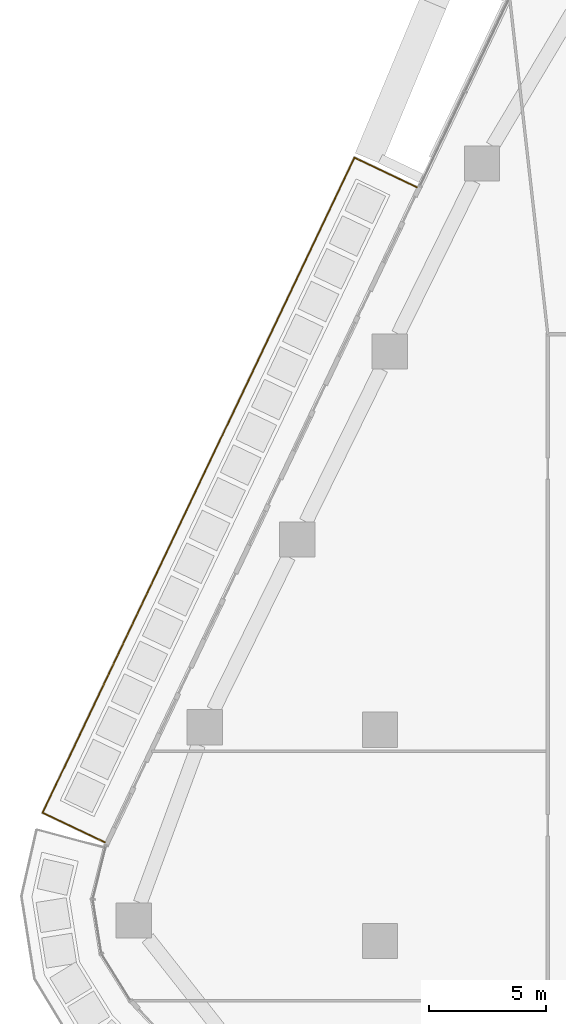
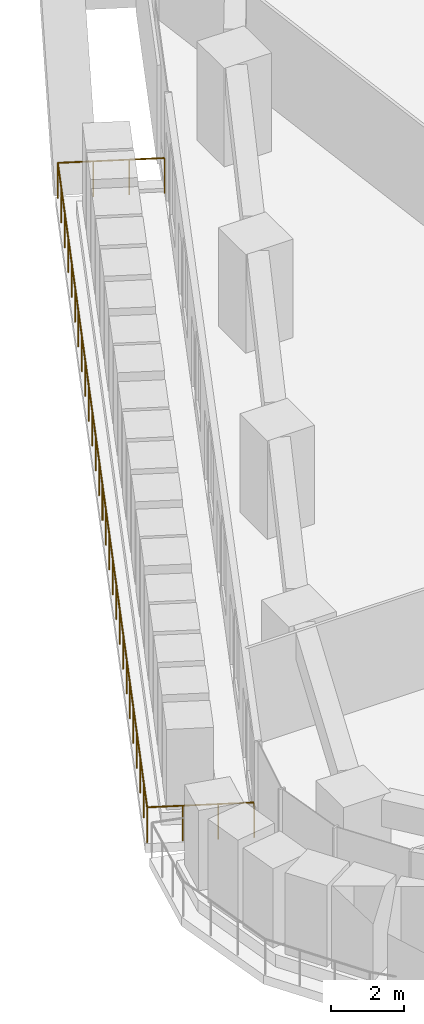
# One storey, part 22 of 24: 1 railing.
"""IFC4 building model written with IfcOpenShell, lengths in metres."""

from ifc_helpers import new_model, si_unit, direction, frame, origin, origin_2d, place, context, subcontext, project, spatial, circle, extrude, material, type_object, element, save


model = new_model("IFC4")

# Units and contexts
model_context = context("Model", 3, precision=1e-05, world=origin(), true_north=direction((0.0, 1.0)))
body_context = subcontext(model_context, "Body", "Model", "MODEL_VIEW")
ifc_project = project(units=[si_unit("LENGTHUNIT", "METRE"), si_unit("AREAUNIT", "SQUARE_METRE"), si_unit("VOLUMEUNIT", "CUBIC_METRE"), si_unit("PLANEANGLEUNIT", "RADIAN"), si_unit("MASSUNIT", "GRAM", prefix="KILO")], contexts=[model_context])

# Site, building, storey
site_placement = place(None, origin())
site = spatial("IfcSite", under=ifc_project, at=site_placement, CompositionType="ELEMENT")
building_placement = place(site_placement, origin())
building = spatial("IfcBuilding", under=site, at=building_placement, Name="Dongbaek Canopy Tower", CompositionType="ELEMENT")
storey_placement = place(building_placement, frame((0.0, 0.0, 51.39990234375)))
storey = spatial("IfcBuildingStorey", under=building, at=storey_placement, Name="L08", CompositionType="ELEMENT", Elevation=51.39990234375)

# Railing
ifc_material = material(Name="Stainless steel", Category="steel")
railing_type = type_object("IfcRailingType", Name="Balcony balustrade 1200", PredefinedType="BALUSTRADE", material=ifc_material)
railing_placement = place(storey_placement, frame((-25.43212890625, 23.11181640625, 0.0)))
element("IfcRailing", 1, at=railing_placement, inside=storey, type_object=railing_type, Name="Balcony guard L08 2", PredefinedType="BALUSTRADE", context=body_context, shape_type="SweptSolid", body=[
    extrude(circle(Radius=0.02392578125, at=origin_2d()), frame((0.0, 0.0, 1.17578125), z_axis=(-0.902960263464, 0.429724054021, 0.0), x_axis=(-0.429724054021, -0.902960263464, 0.0)), (0.0, 0.0, 1.0), 2.940185546875),
    extrude(circle(Radius=0.02392578125, at=origin_2d()), frame((-2.65478515625, 1.263427734375, 1.17578125), z_axis=(-0.42978763548, -0.902930001932, 0.0), x_axis=(0.902930001932, -0.42978763548, 0.0)), (0.0, 0.0, 1.0), 30.909912109375),
    extrude(circle(Radius=0.02392578125, at=origin_2d()), frame((-15.939453125, -26.64599609375, 1.17578125), z_axis=(0.902912701058, -0.429823980564, 0.0), x_axis=(0.429823980564, 0.902912701058, 0.0)), (0.0, 0.0, 1.0), 2.93994140625),
    extrude(circle(Radius=0.02099609375, at=origin_2d()), origin(), (0.0, 0.0, 1.0), 1.15185546875),
    extrude(circle(Radius=0.02099609375, at=origin_2d()), frame((-0.885009765625, 0.421142578125, 0.0)), (0.0, 0.0, 1.0), 1.15185546875),
    extrude(circle(Radius=0.02099609375, at=origin_2d()), frame((-1.769775390625, 0.84228515625, 0.0)), (0.0, 0.0, 1.0), 1.15185546875),
    extrude(circle(Radius=0.02099609375, at=origin_2d()), frame((-2.65478515625, 1.263427734375, 0.0)), (0.0, 0.0, 1.0), 1.15185546875),
    extrude(circle(Radius=0.02099609375, at=origin_2d()), frame((-3.165771484375, 0.18994140625, 0.0)), (0.0, 0.0, 1.0), 1.15185546875),
    extrude(circle(Radius=0.02099609375, at=origin_2d()), frame((-3.6767578125, -0.883544921875, 0.0)), (0.0, 0.0, 1.0), 1.15185546875),
    extrude(circle(Radius=0.02099609375, at=origin_2d()), frame((-4.187744140625, -1.956787109375, 0.0)), (0.0, 0.0, 1.0), 1.15185546875),
    extrude(circle(Radius=0.02099609375, at=origin_2d()), frame((-4.698486328125, -3.0302734375, 0.0)), (0.0, 0.0, 1.0), 1.15185546875),
    extrude(circle(Radius=0.02099609375, at=origin_2d()), frame((-5.20947265625, -4.103759765625, 0.0)), (0.0, 0.0, 1.0), 1.15185546875),
    extrude(circle(Radius=0.02099609375, at=origin_2d()), frame((-5.720458984375, -5.17724609375, 0.0)), (0.0, 0.0, 1.0), 1.15185546875),
    extrude(circle(Radius=0.02099609375, at=origin_2d()), frame((-6.2314453125, -6.250732421875, 0.0)), (0.0, 0.0, 1.0), 1.15185546875),
    extrude(circle(Radius=0.02099609375, at=origin_2d()), frame((-6.742431640625, -7.323974609375, 0.0)), (0.0, 0.0, 1.0), 1.15185546875),
    extrude(circle(Radius=0.02099609375, at=origin_2d()), frame((-7.25341796875, -8.3974609375, 0.0)), (0.0, 0.0, 1.0), 1.15185546875),
    extrude(circle(Radius=0.02099609375, at=origin_2d()), frame((-7.76416015625, -9.470947265625, 0.0)), (0.0, 0.0, 1.0), 1.15185546875),
    extrude(circle(Radius=0.02099609375, at=origin_2d()), frame((-8.275146484375, -10.54443359375, 0.0)), (0.0, 0.0, 1.0), 1.15185546875),
    extrude(circle(Radius=0.02099609375, at=origin_2d()), frame((-8.7861328125, -11.617919921875, 0.0)), (0.0, 0.0, 1.0), 1.15185546875),
    extrude(circle(Radius=0.02099609375, at=origin_2d()), frame((-9.297119140625, -12.69140625, 0.0)), (0.0, 0.0, 1.0), 1.15185546875),
    extrude(circle(Radius=0.02099609375, at=origin_2d()), frame((-9.80810546875, -13.7646484375, 0.0)), (0.0, 0.0, 1.0), 1.15185546875),
    extrude(circle(Radius=0.02099609375, at=origin_2d()), frame((-10.319091796875, -14.838134765625, 0.0)), (0.0, 0.0, 1.0), 1.15185546875),
    extrude(circle(Radius=0.02099609375, at=origin_2d()), frame((-10.830078125, -15.91162109375, 0.0)), (0.0, 0.0, 1.0), 1.15185546875),
    extrude(circle(Radius=0.02099609375, at=origin_2d()), frame((-11.3408203125, -16.985107421875, 0.0)), (0.0, 0.0, 1.0), 1.15185546875),
    extrude(circle(Radius=0.02099609375, at=origin_2d()), frame((-11.851806640625, -18.05859375, 0.0)), (0.0, 0.0, 1.0), 1.15185546875),
    extrude(circle(Radius=0.02099609375, at=origin_2d()), frame((-12.36279296875, -19.1318359375, 0.0)), (0.0, 0.0, 1.0), 1.15185546875),
    extrude(circle(Radius=0.02099609375, at=origin_2d()), frame((-12.873779296875, -20.205322265625, 0.0)), (0.0, 0.0, 1.0), 1.15185546875),
    extrude(circle(Radius=0.02099609375, at=origin_2d()), frame((-13.384765625, -21.27880859375, 0.0)), (0.0, 0.0, 1.0), 1.15185546875),
    extrude(circle(Radius=0.02099609375, at=origin_2d()), frame((-13.895751953125, -22.352294921875, 0.0)), (0.0, 0.0, 1.0), 1.15185546875),
    extrude(circle(Radius=0.02099609375, at=origin_2d()), frame((-14.406494140625, -23.42578125, 0.0)), (0.0, 0.0, 1.0), 1.15185546875),
    extrude(circle(Radius=0.02099609375, at=origin_2d()), frame((-14.91748046875, -24.4990234375, 0.0)), (0.0, 0.0, 1.0), 1.15185546875),
    extrude(circle(Radius=0.02099609375, at=origin_2d()), frame((-15.428466796875, -25.572509765625, 0.0)), (0.0, 0.0, 1.0), 1.15185546875),
    extrude(circle(Radius=0.02099609375, at=origin_2d()), frame((-15.939453125, -26.64599609375, 0.0)), (0.0, 0.0, 1.0), 1.15185546875),
    extrude(circle(Radius=0.02099609375, at=origin_2d()), frame((-15.0546875, -27.067138671875, 0.0)), (0.0, 0.0, 1.0), 1.15185546875),
    extrude(circle(Radius=0.02099609375, at=origin_2d()), frame((-14.169677734375, -27.488525390625, 0.0)), (0.0, 0.0, 1.0), 1.15185546875),
    extrude(circle(Radius=0.02099609375, at=origin_2d()), frame((-13.284912109375, -27.90966796875, 0.0)), (0.0, 0.0, 1.0), 1.15185546875),
])

save(model, "model.ifc")
